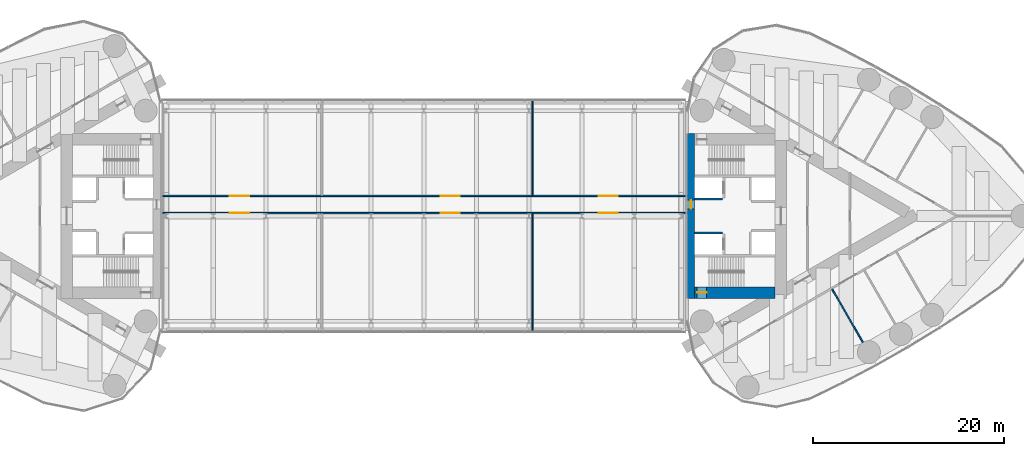
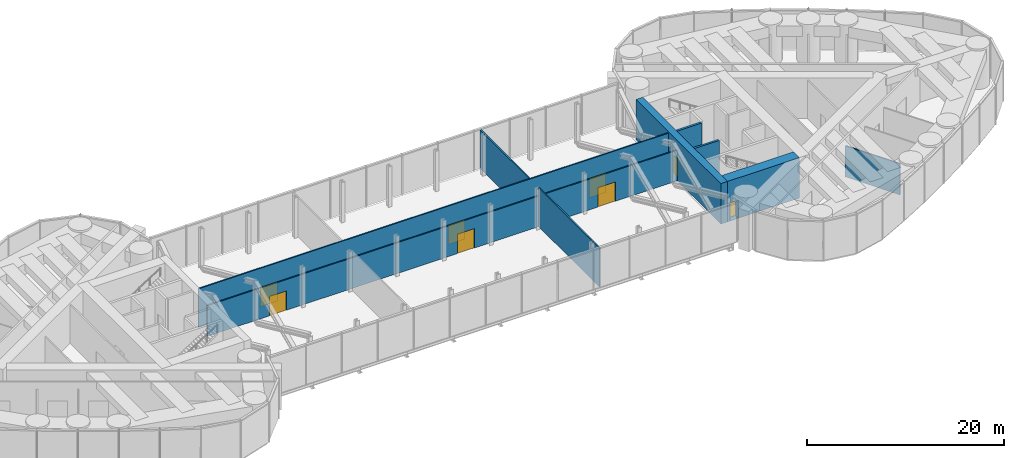
# One storey, part 16 of 19: 9 walls, 8 doors, 8 openings.
"""IFC4 building model written with IfcOpenShell, lengths in metres."""

from ifc_helpers import new_model, si_unit, direction, frame, frame_2d, origin, place, context, subcontext, project, spatial, rectangle, extrude, material, layer, layer_set, type_object, element, fill, save


model = new_model("IFC4")

# Units and contexts
model_context = context("Model", 3, precision=1e-05, world=origin(), true_north=direction((0.0, 1.0)))
body_context = subcontext(model_context, "Body", "Model", "MODEL_VIEW")
ifc_project = project(units=[si_unit("LENGTHUNIT", "METRE"), si_unit("AREAUNIT", "SQUARE_METRE"), si_unit("VOLUMEUNIT", "CUBIC_METRE"), si_unit("PLANEANGLEUNIT", "RADIAN"), si_unit("MASSUNIT", "GRAM", prefix="KILO")], contexts=[model_context])

# Site, building, storey
site_placement = place(None, origin())
site = spatial("IfcSite", under=ifc_project, at=site_placement, CompositionType="ELEMENT")
building_placement = place(site_placement, origin())
building = spatial("IfcBuilding", under=site, at=building_placement, Name="Lancet Gate Hotel", CompositionType="ELEMENT")
storey_placement = place(building_placement, frame((0.0, 0.0, 263.300048828125)))
storey = spatial("IfcBuildingStorey", under=building, at=storey_placement, Name="L69", CompositionType="ELEMENT", Elevation=263.300048828125)

# Wall, openings, doors
ifc_material_1 = material(Name="Gypsum board partition")
ifc_layer_1 = layer(ifc_material_1, 0.14990234375)
ifc_layer_set_1 = layer_set([ifc_layer_1], Name="Block corridor wall 150")
wall_type_1 = type_object("IfcWallType", Name="Block corridor wall 150", PredefinedType="PARTITIONING", material=ifc_layer_set_1)
wall_1_placement = place(storey_placement, frame((-27.5, 0.300048828125, 0.0), z_axis=(0.0, 0.0, 1.0), x_axis=(1.0, 0.0, 0.0)))
wall_1 = element("IfcWall", 1, at=wall_1_placement, inside=storey, type_object=wall_type_1, Name="Bridge block block corridor wall 150 L69", PredefinedType="PARTITIONING", context=body_context, shape_type="SweptSolid", body=[
    extrude(rectangle(XDim=55.0, YDim=0.14990234375, at=frame_2d((27.5, 0.0))), origin(), (0.0, 0.0, 1.0), 3.800048828125),
])
opening_1_placement = place(wall_1_placement, frame((7.25, 0.0, 0.0)))
opening_1 = element("IfcOpeningElement", 2, at=opening_1_placement, cuts=wall_1, Name="Opening BR-L69-P1", PredefinedType="OPENING", context=body_context, shape_type="SweptSolid", body=[
    extrude(rectangle(XDim=2.0, YDim=2.39990234375, at=frame_2d((1.0, 1.199951171875))), frame((0.0, 0.0849609375, 0.0), z_axis=(0.0, -1.0, 0.0), x_axis=(1.0, 0.0, 0.0)), (0.0, 0.0, 1.0), 0.169921875),
])
opening_2_placement = place(wall_1_placement, frame((29.25, 0.0, 0.0)))
opening_2 = element("IfcOpeningElement", 3, at=opening_2_placement, cuts=wall_1, Name="Opening BR-L69-P2", PredefinedType="OPENING", context=body_context, shape_type="SweptSolid", body=[
    extrude(rectangle(XDim=2.0, YDim=2.39990234375, at=frame_2d((1.0, 1.199951171875))), frame((0.0, 0.0849609375, 0.0), z_axis=(0.0, -1.0, 0.0), x_axis=(1.0, 0.0, 0.0)), (0.0, 0.0, 1.0), 0.169921875),
])
opening_3_placement = place(wall_1_placement, frame((45.75, 0.0, 0.0)))
opening_3 = element("IfcOpeningElement", 4, at=opening_3_placement, cuts=wall_1, Name="Opening BR-L69-P3", PredefinedType="OPENING", context=body_context, shape_type="SweptSolid", body=[
    extrude(rectangle(XDim=2.0, YDim=2.39990234375, at=frame_2d((1.0, 1.199951171875))), frame((0.0, 0.0849609375, 0.0), z_axis=(0.0, -1.0, 0.0), x_axis=(1.0, 0.0, 0.0)), (0.0, 0.0, 1.0), 0.169921875),
])
ifc_material_2 = material(Name="Timber door set", Category="wood")
door_type_1 = type_object("IfcDoorType", Name="Plant room double door 2000", OperationType="DOUBLE_DOOR_SINGLE_SWING", PredefinedType="DOOR", material=ifc_material_2)
door_1_placement = place(opening_1_placement, origin())
door_1 = element("IfcDoor", 5, at=door_1_placement, inside=storey, type_object=door_type_1, Name="BR-L69-P1", OperationType="DOUBLE_DOOR_SINGLE_SWING", OverallHeight=2.39990234375, OverallWidth=2.0, PredefinedType="DOOR", context=body_context, shape_type="SweptSolid", body=[
    extrude(rectangle(XDim=2.0, YDim=2.39990234375, at=frame_2d((1.0, 1.199951171875))), frame((0.0, 0.02490234375, 0.0), z_axis=(0.0, -1.0, 0.0), x_axis=(1.0, 0.0, 0.0)), (0.0, 0.0, 1.0), 0.050048828125),
])
fill(opening_1, door_1)
door_2_placement = place(opening_2_placement, origin())
door_2 = element("IfcDoor", 6, at=door_2_placement, inside=storey, type_object=door_type_1, Name="BR-L69-P2", OperationType="DOUBLE_DOOR_SINGLE_SWING", OverallHeight=2.39990234375, OverallWidth=2.0, PredefinedType="DOOR", context=body_context, shape_type="SweptSolid", body=[
    extrude(rectangle(XDim=2.0, YDim=2.39990234375, at=frame_2d((1.0, 1.199951171875))), frame((0.0, 0.02490234375, 0.0), z_axis=(0.0, -1.0, 0.0), x_axis=(1.0, 0.0, 0.0)), (0.0, 0.0, 1.0), 0.050048828125),
])
fill(opening_2, door_2)
door_3_placement = place(opening_3_placement, origin())
door_3 = element("IfcDoor", 7, at=door_3_placement, inside=storey, type_object=door_type_1, Name="BR-L69-P3", OperationType="DOUBLE_DOOR_SINGLE_SWING", OverallHeight=2.39990234375, OverallWidth=2.0, PredefinedType="DOOR", context=body_context, shape_type="SweptSolid", body=[
    extrude(rectangle(XDim=2.0, YDim=2.39990234375, at=frame_2d((1.0, 1.199951171875))), frame((0.0, 0.02490234375, 0.0), z_axis=(0.0, -1.0, 0.0), x_axis=(1.0, 0.0, 0.0)), (0.0, 0.0, 1.0), 0.050048828125),
])
fill(opening_3, door_3)

wall_2_placement = place(storey_placement, frame((-27.5, 2.10009765625, 0.0), z_axis=(0.0, 0.0, 1.0), x_axis=(1.0, 0.0, 0.0)))
wall_2 = element("IfcWall", 8, at=wall_2_placement, inside=storey, type_object=wall_type_1, Name="Bridge block block corridor wall 150 L69", PredefinedType="PARTITIONING", context=body_context, shape_type="SweptSolid", body=[
    extrude(rectangle(XDim=55.0, YDim=0.14990234375, at=frame_2d((27.5, 0.0))), origin(), (0.0, 0.0, 1.0), 4.800048828125),
])
opening_4_placement = place(wall_2_placement, frame((7.25, 0.0, 0.0)))
opening_4 = element("IfcOpeningElement", 9, at=opening_4_placement, cuts=wall_2, Name="Opening BR-L69-P4", PredefinedType="OPENING", context=body_context, shape_type="SweptSolid", body=[
    extrude(rectangle(XDim=2.0, YDim=2.39990234375, at=frame_2d((1.0, 1.199951171875))), frame((0.0, 0.0849609375, 0.0), z_axis=(0.0, -1.0, 0.0), x_axis=(1.0, 0.0, 0.0)), (0.0, 0.0, 1.0), 0.169921875),
])
opening_5_placement = place(wall_2_placement, frame((29.25, 0.0, 0.0)))
opening_5 = element("IfcOpeningElement", 10, at=opening_5_placement, cuts=wall_2, Name="Opening BR-L69-P5", PredefinedType="OPENING", context=body_context, shape_type="SweptSolid", body=[
    extrude(rectangle(XDim=2.0, YDim=2.39990234375, at=frame_2d((1.0, 1.199951171875))), frame((0.0, 0.0849609375, 0.0), z_axis=(0.0, -1.0, 0.0), x_axis=(1.0, 0.0, 0.0)), (0.0, 0.0, 1.0), 0.169921875),
])
opening_6_placement = place(wall_2_placement, frame((45.75, 0.0, 0.0)))
opening_6 = element("IfcOpeningElement", 11, at=opening_6_placement, cuts=wall_2, Name="Opening BR-L69-P6", PredefinedType="OPENING", context=body_context, shape_type="SweptSolid", body=[
    extrude(rectangle(XDim=2.0, YDim=2.39990234375, at=frame_2d((1.0, 1.199951171875))), frame((0.0, 0.0849609375, 0.0), z_axis=(0.0, -1.0, 0.0), x_axis=(1.0, 0.0, 0.0)), (0.0, 0.0, 1.0), 0.169921875),
])
door_4_placement = place(opening_4_placement, origin())
door_4 = element("IfcDoor", 12, at=door_4_placement, inside=storey, type_object=door_type_1, Name="BR-L69-P4", OperationType="DOUBLE_DOOR_SINGLE_SWING", OverallHeight=2.39990234375, OverallWidth=2.0, PredefinedType="DOOR", context=body_context, shape_type="SweptSolid", body=[
    extrude(rectangle(XDim=2.0, YDim=2.39990234375, at=frame_2d((1.0, 1.199951171875))), frame((0.0, 0.02490234375, 0.0), z_axis=(0.0, -1.0, 0.0), x_axis=(1.0, 0.0, 0.0)), (0.0, 0.0, 1.0), 0.050048828125),
])
fill(opening_4, door_4)
door_5_placement = place(opening_5_placement, origin())
door_5 = element("IfcDoor", 13, at=door_5_placement, inside=storey, type_object=door_type_1, Name="BR-L69-P5", OperationType="DOUBLE_DOOR_SINGLE_SWING", OverallHeight=2.39990234375, OverallWidth=2.0, PredefinedType="DOOR", context=body_context, shape_type="SweptSolid", body=[
    extrude(rectangle(XDim=2.0, YDim=2.39990234375, at=frame_2d((1.0, 1.199951171875))), frame((0.0, 0.02490234375, 0.0), z_axis=(0.0, -1.0, 0.0), x_axis=(1.0, 0.0, 0.0)), (0.0, 0.0, 1.0), 0.050048828125),
])
fill(opening_5, door_5)
door_6_placement = place(opening_6_placement, origin())
door_6 = element("IfcDoor", 14, at=door_6_placement, inside=storey, type_object=door_type_1, Name="BR-L69-P6", OperationType="DOUBLE_DOOR_SINGLE_SWING", OverallHeight=2.39990234375, OverallWidth=2.0, PredefinedType="DOOR", context=body_context, shape_type="SweptSolid", body=[
    extrude(rectangle(XDim=2.0, YDim=2.39990234375, at=frame_2d((1.0, 1.199951171875))), frame((0.0, 0.02490234375, 0.0), z_axis=(0.0, -1.0, 0.0), x_axis=(1.0, 0.0, 0.0)), (0.0, 0.0, 1.0), 0.050048828125),
])
fill(opening_6, door_6)

# Wall, opening, door
ifc_material_3 = material(Name="Concrete C70/85", Category="concrete")
ifc_layer_2 = layer(ifc_material_3, 1.199951171875)
ifc_layer_set_2 = layer_set([ifc_layer_2], Name="Core wall 1200")
wall_type_2 = type_object("IfcWallType", Name="Core wall 1200", PredefinedType="SHEAR", material=ifc_layer_set_2)
wall_3_placement = place(storey_placement, frame((28.300048828125, -8.0, 0.0), z_axis=(0.0, 0.0, 1.0), x_axis=(1.0, 0.0, 0.0)))
wall_3 = element("IfcWall", 15, at=wall_3_placement, inside=storey, type_object=wall_type_2, Name="T2 core wall side-S L69", PredefinedType="SHEAR", context=body_context, shape_type="SweptSolid", body=[
    extrude(rectangle(XDim=8.39990234375, YDim=1.199951171875, at=frame_2d((4.199951171875, 0.0))), origin(), (0.0, 0.0, 1.0), 5.0),
])
opening_7_placement = place(wall_3_placement, frame((0.25, 0.0, 0.0)))
opening_7 = element("IfcOpeningElement", 16, at=opening_7_placement, cuts=wall_3, Name="Opening T2-L69-ST1", PredefinedType="OPENING", context=body_context, shape_type="SweptSolid", body=[
    extrude(rectangle(XDim=1.0, YDim=2.199951171875, at=frame_2d((0.5, 1.10009765625))), frame((0.0, 0.60986328125, 0.0), z_axis=(0.0, -1.0, 0.0), x_axis=(1.0, 0.0, 0.0)), (0.0, 0.0, 1.0), 1.219970703125),
])
ifc_material_4 = material(Name="Timber door set", Category="wood")
door_type_2 = type_object("IfcDoorType", Name="Stair door 1000", OperationType="SINGLE_SWING_RIGHT", PredefinedType="DOOR", material=ifc_material_4)
door_7_placement = place(opening_7_placement, origin())
door_7 = element("IfcDoor", 17, at=door_7_placement, inside=storey, type_object=door_type_2, Name="T2-L69-ST1", OperationType="SINGLE_SWING_RIGHT", OverallHeight=2.199951171875, OverallWidth=1.0, PredefinedType="DOOR", context=body_context, shape_type="SweptSolid", body=[
    extrude(rectangle(XDim=1.0, YDim=2.199951171875, at=frame_2d((0.5, 1.10009765625))), frame((0.0, 0.02490234375, 0.0), z_axis=(0.0, -1.0, 0.0), x_axis=(1.0, 0.0, 0.0)), (0.0, 0.0, 1.0), 0.050048828125),
])
fill(opening_7, door_7)

ifc_material_5 = material(Name="Concrete C70/85", Category="concrete")
ifc_layer_3 = layer(ifc_material_5, 0.800048828125)
ifc_layer_set_3 = layer_set([ifc_layer_3], Name="Core wall 800")
wall_type_3 = type_object("IfcWallType", Name="Core wall 800", PredefinedType="SHEAR", material=ifc_layer_set_3)
wall_4_placement = place(storey_placement, frame((27.89990234375, -8.60009765625, 0.0), z_axis=(0.0, 0.0, 1.0), x_axis=(0.0, 1.0, 0.0)))
wall_4 = element("IfcWall", 18, at=wall_4_placement, inside=storey, type_object=wall_type_3, Name="T2 core wall front L69", PredefinedType="SHEAR", context=body_context, shape_type="SweptSolid", body=[
    extrude(rectangle(XDim=17.2001953125, YDim=0.800048828125, at=frame_2d((8.60009765625, 0.0))), origin(), (0.0, 0.0, 1.0), 5.0),
])
opening_8_placement = place(wall_4_placement, frame((9.35009765625, 0.0, 0.0)))
opening_8 = element("IfcOpeningElement", 19, at=opening_8_placement, cuts=wall_4, Name="Opening T2-L69-BR", PredefinedType="OPENING", context=body_context, shape_type="SweptSolid", body=[
    extrude(rectangle(XDim=0.89990234375, YDim=2.199951171875, at=frame_2d((0.449951171875, 1.10009765625))), frame((0.0, 0.409912109375, 0.0), z_axis=(0.0, -1.0, 0.0), x_axis=(1.0, 0.0, 0.0)), (0.0, 0.0, 1.0), 0.820068359375),
])
ifc_material_6 = material(Name="Steel door set", Category="steel")
door_type_3 = type_object("IfcDoorType", Name="Bridge fire door 900", OperationType="SINGLE_SWING_LEFT", PredefinedType="DOOR", material=ifc_material_6)
door_8_placement = place(opening_8_placement, origin())
door_8 = element("IfcDoor", 20, at=door_8_placement, inside=storey, type_object=door_type_3, Name="T2-L69-BR", OperationType="SINGLE_SWING_LEFT", OverallHeight=2.199951171875, OverallWidth=0.89990234375, PredefinedType="DOOR", context=body_context, shape_type="SweptSolid", body=[
    extrude(rectangle(XDim=0.89990234375, YDim=2.199951171875, at=frame_2d((0.449951171875, 1.10009765625))), frame((0.0, 0.02490234375, 0.0), z_axis=(0.0, -1.0, 0.0), x_axis=(1.0, 0.0, 0.0)), (0.0, 0.0, 1.0), 0.050048828125),
])
fill(opening_8, door_8)

# Walls
ifc_material_7 = material(Name="Concrete C50/60", Category="concrete")
ifc_layer_4 = layer(ifc_material_7, 0.25)
ifc_layer_set_4 = layer_set([ifc_layer_4], Name="Lift shaft wall 250")
wall_type_4 = type_object("IfcWallType", Name="Lift shaft wall 250", PredefinedType="SHEAR", material=ifc_layer_set_4)
for number, where, z_axis, x_axis, name in (
    (21, (28.300048828125, -1.77490234375, 0.0), (0.0, 0.0, 1.0), (1.0, 0.0, 0.0), "T2 core wall pass1-S L69"),
    (22, (28.300048828125, 1.77490234375, 0.0), (0.0, 0.0, 1.0), (1.0, 0.0, 0.0), "T2 core wall pass1-N L69"),
):
    element("IfcWall", number, at=place(storey_placement, frame(where, z_axis=z_axis, x_axis=x_axis)), inside=storey, type_object=wall_type_4, Name=name, PredefinedType="SHEAR", context=body_context, shape_type="SweptSolid", body=[
        extrude(rectangle(XDim=2.89990234375, YDim=0.25, at=frame_2d((1.449951171875, 0.0))), origin(), (0.0, 0.0, 1.0), 5.0),
    ])
ifc_material_8 = material(Name="Gypsum board partition")
ifc_layer_5 = layer(ifc_material_8, 0.14990234375)
ifc_layer_set_5 = layer_set([ifc_layer_5], Name="Party wall 150")
wall_type_5 = type_object("IfcWallType", Name="Party wall 150", PredefinedType="PARTITIONING", material=ifc_layer_set_5)
wall_5_placement = place(storey_placement, frame((42.65966796875, -7.6455078125, 0.0), z_axis=(0.0, 0.0, 1.0), x_axis=(0.499996592859, -0.866027370889, 0.0)))
element("IfcWall", 23, at=wall_5_placement, inside=storey, type_object=wall_type_5, Name="T2 party wall 150 L69", PredefinedType="PARTITIONING", context=body_context, shape_type="SweptSolid", body=[
    extrude(rectangle(XDim=6.3984375, YDim=0.14990234375, at=frame_2d((3.19921875, 0.0))), origin(), (0.0, 0.0, 1.0), 3.849853515625),
])
ifc_material_9 = material(Name="Gypsum board partition")
ifc_layer_6 = layer(ifc_material_9, 0.14990234375)
ifc_layer_set_6 = layer_set([ifc_layer_6], Name="Service room wall 150")
wall_type_6 = type_object("IfcWallType", Name="Service room wall 150", PredefinedType="PARTITIONING", material=ifc_layer_set_6)
wall_6_placement = place(storey_placement, frame((11.35009765625, -12.070068359375, 0.0), z_axis=(0.0, 0.0, 1.0), x_axis=(0.0, 1.0, 0.0)))
element("IfcWall", 24, at=wall_6_placement, inside=storey, type_object=wall_type_6, Name="Bridge block service room wall 150 L69", PredefinedType="PARTITIONING", context=body_context, shape_type="SweptSolid", body=[
    extrude(rectangle(XDim=12.295166015625, YDim=0.14990234375, at=frame_2d((6.1474609375, 0.0))), origin(), (0.0, 0.0, 1.0), 4.800048828125),
])
wall_7_placement = place(storey_placement, frame((11.35009765625, 2.175048828125, 0.0), z_axis=(0.0, 0.0, 1.0), x_axis=(0.0, 1.0, 0.0)))
element("IfcWall", 25, at=wall_7_placement, inside=storey, type_object=wall_type_6, Name="Bridge block service room wall 150 L69", PredefinedType="PARTITIONING", context=body_context, shape_type="SweptSolid", body=[
    extrude(rectangle(XDim=9.89501953125, YDim=0.14990234375, at=frame_2d((4.947509765625, 0.0))), origin(), (0.0, 0.0, 1.0), 4.800048828125),
])

save(model, "model.ifc")
